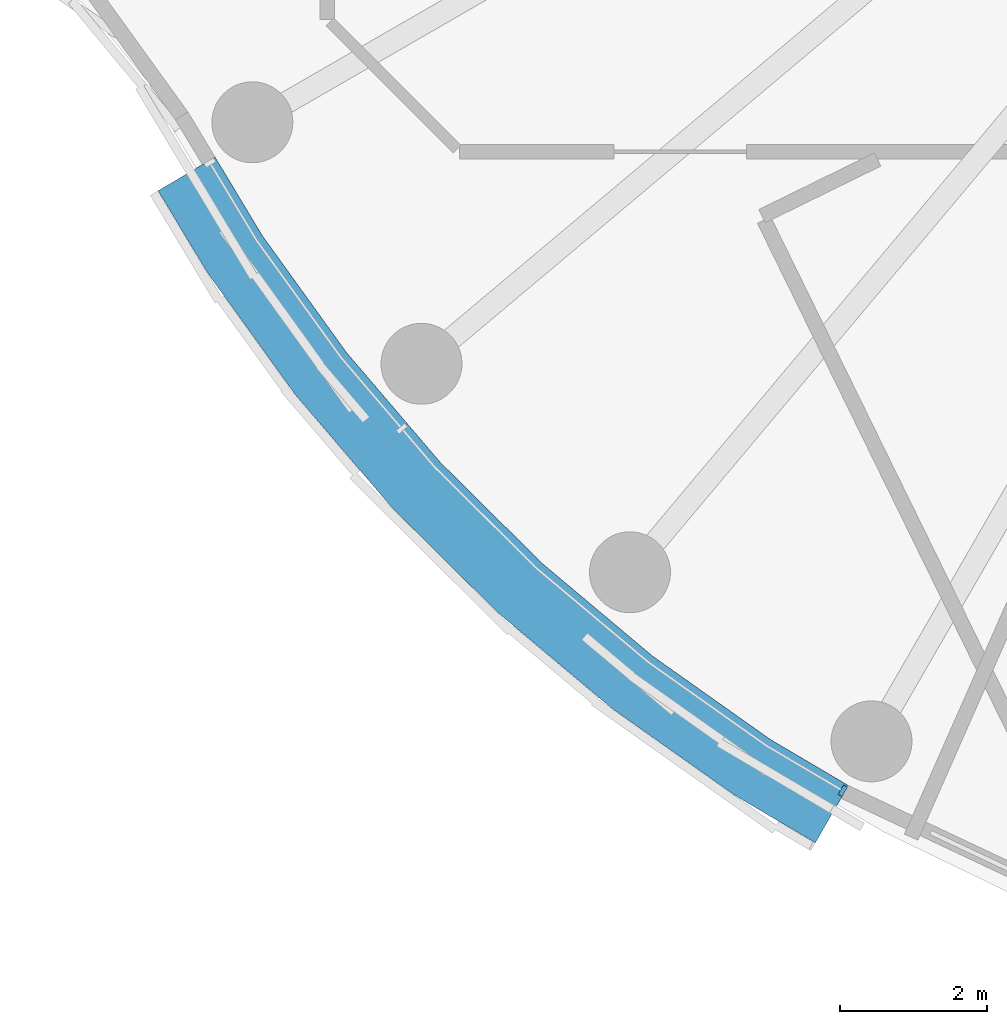
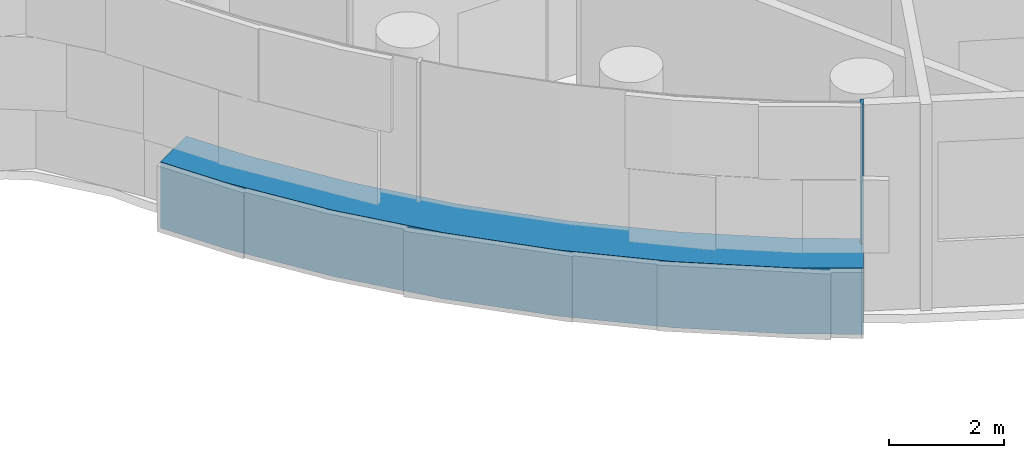
# One storey, part 3 of 23: 2 members, 1 element without a shape of its own.
"""IFC4 building model written with IfcOpenShell, lengths in metres."""

from ifc_helpers import new_model, si_unit, direction, frame, origin, origin_2d, place, context, subcontext, project, spatial, polyline, rectangle, outline, extrude, material, layer, layer_set, material_profile, profile_set, type_object, element, aggregate, save


model = new_model("IFC4")

# Units and contexts
model_context = context("Model", 3, precision=1e-05, world=origin(), true_north=direction((0.0, 1.0)))
body_context = subcontext(model_context, "Body", "Model", "MODEL_VIEW")
ifc_project = project(units=[si_unit("LENGTHUNIT", "METRE"), si_unit("AREAUNIT", "SQUARE_METRE"), si_unit("VOLUMEUNIT", "CUBIC_METRE"), si_unit("PLANEANGLEUNIT", "RADIAN"), si_unit("MASSUNIT", "GRAM", prefix="KILO")], contexts=[model_context])

# Site, building, storey
site_placement = place(None, origin())
site = spatial("IfcSite", under=ifc_project, at=site_placement, CompositionType="ELEMENT")
building_placement = place(site_placement, origin())
building = spatial("IfcBuilding", under=site, at=building_placement, Name="Tamarind Cross Interchange Tower", CompositionType="ELEMENT")
storey_placement = place(building_placement, frame((0.0, 0.0, 128.5)))
storey = spatial("IfcBuildingStorey", under=building, at=storey_placement, Name="L31", CompositionType="ELEMENT", Elevation=128.5)

# Curtain wall, members
ifc_material_1 = material(Name="Aluminium 6063-T6", Category="aluminium")
ifc_layer = layer(ifc_material_1, 0.14990234375)
ifc_layer_set = layer_set([ifc_layer], Name="Aluminium 6063-T6")
curtain_wall_type = type_object("IfcCurtainWallType", Name="Winter garden and crown curtain wall", PredefinedType="NOTDEFINED", material=ifc_layer_set)
curtain_wall_placement = place(storey_placement, origin())
curtain_wall = element("IfcCurtainWall", 1, at=curtain_wall_placement, inside=storey, type_object=curtain_wall_type, Name="CWS-L31-02", PredefinedType="NOTDEFINED")
ifc_material_2 = material(Name="Aluminium and insulated spandrel panel", Category="aluminium")
member_type_1 = type_object("IfcMemberType", Name="Floor-edge blade transom", PredefinedType="USERDEFINED", material=ifc_material_2)
member_1_placement = place(storey_placement, origin())
member_1 = element("IfcMember", 2, at=member_1_placement, type_object=member_type_1, Name="CWT-L31-02-0", ObjectType="TRANSOM", PredefinedType="USERDEFINED", context=body_context, shape_type="SweptSolid", body=[
    extrude(outline(polyline([(-20.426025390625, -11.97412109375), (-19.78125, -13.045654296875), (-18.636474609375, -14.634521484375), (-17.3642578125, -16.12353515625), (-15.973388671875, -17.50244140625), (-14.4736328125, -18.76171875), (-12.874755859375, -19.892822265625), (-11.814697265625, -20.518310546875), (-12.263916015625, -21.29833984375), (-13.3642578125, -20.64892578125), (-15.023681640625, -19.474853515625), (-16.580810546875, -18.167724609375), (-18.0244140625, -16.736572265625), (-19.344970703125, -15.19091796875), (-20.533203125, -13.54150390625), (-21.201171875, -12.431640625), (-20.426025390625, -11.97412109375)])), origin(), (0.0, 0.0, 1.0), 1.39990234375),
])
ifc_material_profile = material_profile(ifc_material_1, rectangle(XDim=0.06005859375, YDim=0.14990234375, at=origin_2d()), Name="Mullion CW6")
ifc_profile_set = profile_set([ifc_material_profile], Name="Aluminium 6063-T6")
member_type_2 = type_object("IfcMemberType", Name="Mullion CW6", PredefinedType="MULLION", material=ifc_profile_set)
member_2_placement = place(storey_placement, frame((-11.89013671875, -20.58984375, 1.39990234375), z_axis=(0.0, 0.0, 1.0), x_axis=(0.861248933065, -0.508183308752, 0.0)))
member_2 = element("IfcMember", 3, at=member_2_placement, type_object=member_type_2, Name="CWM-L31-02-03", PredefinedType="MULLION", context=body_context, shape_type="SweptSolid", body=[
    extrude(rectangle(XDim=0.06005859375, YDim=0.14990234375, at=origin_2d()), origin(), (0.0, 0.0, 1.0), 2.960205078125),
])
aggregate(curtain_wall, [member_2, member_1])

save(model, "model.ifc")
